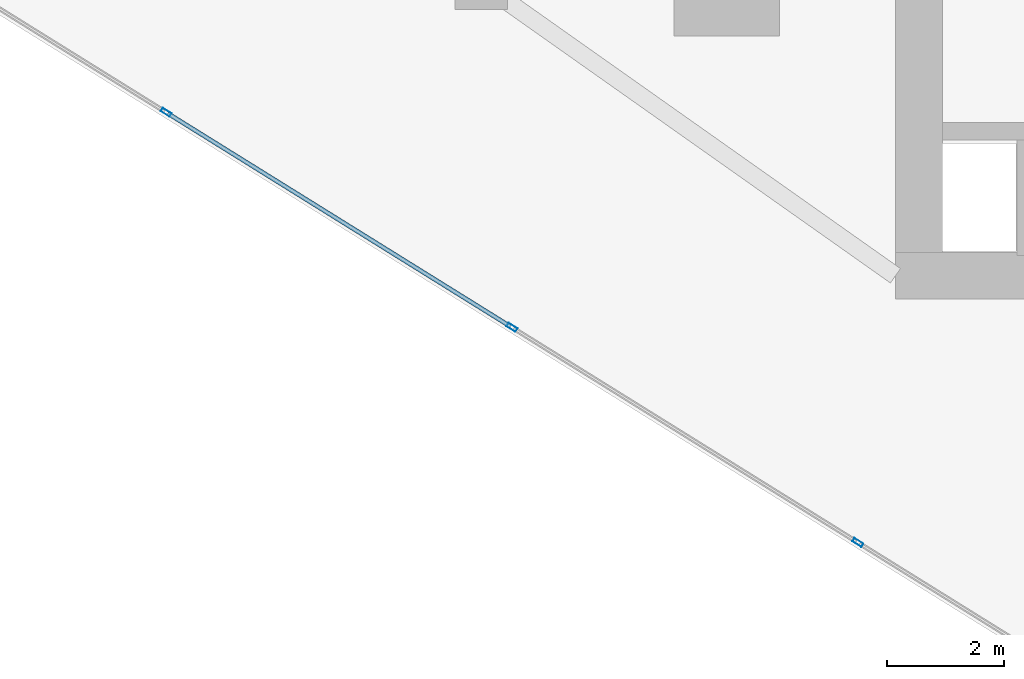
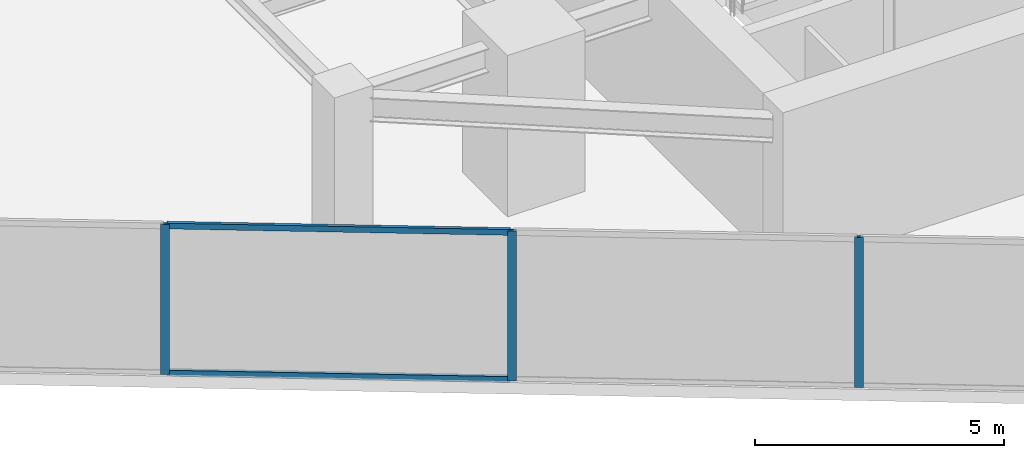
# One storey, part 2 of 25: 5 members, 1 element without a shape of its own.
"""IFC4 building model written with IfcOpenShell, lengths in metres."""

import ifcopenshell
import ifcopenshell.guid

model = None  # the IFC model being written
_history = None  # IfcOwnerHistory: only IFC2X3 demands one
_inside = {}  # id of a spatial element -> (the spatial element, [elements in it])
_under = {}  # id of a project, library or spatial element -> (it, [spatial elements below it])
_declared = {}  # id of a project -> (the project, [libraries it declares])
_typed = {}  # id of a type object -> (the type object, [elements of that type])
_made_of = {}  # id of a material, layer set ... -> (it, [elements and type objects made of it])


def new_model(schema):
    """Start an empty IFC model of exactly this schema.

    Asked for "IFC4X3", IfcOpenShell would pick the latest addendum, in which some entities
    have other attributes; the version numbers below select the first issue.
    IFC2X3 requires an IfcOwnerHistory on every rooted entity: one is made here for all.
    """
    global model, _history
    if schema == "IFC4X3":
        model = ifcopenshell.file(schema_version=(4, 3, 0, 0))
    else:
        model = ifcopenshell.file(schema=schema)
    _inside.clear()
    _under.clear()
    _declared.clear()
    _typed.clear()
    _made_of.clear()
    _history = None
    if model.schema == "IFC2X3":
        org = make("IfcOrganization", Name="unknown")
        user = make(
            "IfcPersonAndOrganization",
            ThePerson=make("IfcPerson", FamilyName="unknown"),
            TheOrganization=org,
        )
        app = make(
            "IfcApplication",
            ApplicationDeveloper=org,
            Version="unknown",
            ApplicationFullName="unknown",
            ApplicationIdentifier="unknown",
        )
        _history = make(
            "IfcOwnerHistory",
            OwningUser=user,
            OwningApplication=app,
            ChangeAction="ADDED",
            CreationDate=0,
        )
    return model


def make(cls, **values):
    """One entity of the class cls with the attributes given. An attribute that is None is left unset."""
    return model.create_entity(
        cls, **{name: value for name, value in values.items() if value is not None}
    )


def rooted(cls, **values):
    """An entity with a GlobalId (a new one), such as an element, a storey or a relation."""
    return make(cls, GlobalId=ifcopenshell.guid.new(), OwnerHistory=_history, **values)


def si_unit(unit_type, name, prefix=None):
    """IfcSIUnit, for example si_unit("LENGTHUNIT", "METRE", prefix="MILLI")."""
    return make("IfcSIUnit", UnitType=unit_type, Prefix=prefix, Name=name)


def assignment(units):
    """IfcUnitAssignment: the units of a project."""
    return None if units is None else make("IfcUnitAssignment", Units=units)


def point(xyz):
    """IfcCartesianPoint."""
    return None if xyz is None else make("IfcCartesianPoint", Coordinates=xyz)


def direction(xyz):
    """IfcDirection."""
    return None if xyz is None else make("IfcDirection", DirectionRatios=xyz)


def frame(location, z_axis=None, x_axis=None):
    """IfcAxis2Placement3D, a coordinate frame: its origin and axes. An axis left out is left unset."""
    return make(
        "IfcAxis2Placement3D",
        Location=point(location),
        Axis=direction(z_axis),
        RefDirection=direction(x_axis),
    )


def frame_2d(location, x_axis=None):
    """IfcAxis2Placement2D, a coordinate frame in the plane: its origin and x axis."""
    return make(
        "IfcAxis2Placement2D", Location=point(location), RefDirection=direction(x_axis)
    )


def origin():
    """The frame at (0, 0, 0) with its axes left unset."""
    return frame((0.0, 0.0, 0.0))


def origin_2d():
    """The frame at (0, 0) in the plane with its x axis left unset."""
    return frame_2d((0.0, 0.0))


def place(relative_to, where):
    """IfcLocalPlacement: puts the frame where relative to a parent placement (None: the world)."""
    return make(
        "IfcLocalPlacement", PlacementRelTo=relative_to, RelativePlacement=where
    )


def context(
    kind, dimensions, precision=None, world=None, true_north=None, identifier=None
):
    """IfcGeometricRepresentationContext, for example the 3D "Model" context."""
    return make(
        "IfcGeometricRepresentationContext",
        ContextIdentifier=identifier,
        ContextType=kind,
        CoordinateSpaceDimension=dimensions,
        Precision=precision,
        WorldCoordinateSystem=world,
        TrueNorth=true_north,
    )


def subcontext(parent, identifier, kind, view, scale=None):
    """IfcGeometricRepresentationSubContext, for example "Body" below "Model"."""
    return make(
        "IfcGeometricRepresentationSubContext",
        ContextIdentifier=identifier,
        ContextType=kind,
        ParentContext=parent,
        TargetScale=scale,
        TargetView=view,
    )


def project(units=None, contexts=None):
    """IfcProject with its units and contexts."""
    return rooted(
        "IfcProject",
        Name="project",
        RepresentationContexts=contexts,
        UnitsInContext=assignment(units),
    )


def spatial(cls, under=None, at=None, **own):
    """A site, building, storey or space (cls), placed at a placement, below another one or the project."""
    s = rooted(cls, ObjectPlacement=at, **own)
    if under is not None:
        _under.setdefault(under.id(), (under, []))[1].append(s)
    return s


def profile(cls, at=None, kind="AREA", **sizes):
    """A parametric profile (cls). Its sizes go by their IFC names, for example OverallWidth=200.0."""
    return make(cls, ProfileType=kind, Position=at, **sizes)


def hollow_rectangle(**sizes):
    """IfcRectangleHollowProfileDef."""
    return profile("IfcRectangleHollowProfileDef", **sizes)


def extrude(swept, where, along, depth):
    """IfcExtrudedAreaSolid: the profile swept, set in the frame where, extruded along a direction by depth."""
    return make(
        "IfcExtrudedAreaSolid",
        SweptArea=swept,
        Position=where,
        ExtrudedDirection=direction(along),
        Depth=depth,
    )


def shape(context_of_items, identifier, shape_type, items):
    """IfcShapeRepresentation: the items that make up one representation, for example the "Body"."""
    return make(
        "IfcShapeRepresentation",
        ContextOfItems=context_of_items,
        RepresentationIdentifier=identifier,
        RepresentationType=shape_type,
        Items=items,
    )


def source(mapping_origin, context_of_items, identifier, shape_type, items):
    """IfcRepresentationMap: a shape defined once, which mapped items show again and again."""
    return make(
        "IfcRepresentationMap",
        MappingOrigin=mapping_origin,
        MappedRepresentation=shape(context_of_items, identifier, shape_type, items),
    )


def transform(
    local_origin,
    x_axis=None,
    y_axis=None,
    z_axis=None,
    scale=None,
    scale2=None,
    scale3=None,
    uniform=True,
):
    """IfcCartesianTransformationOperator3D, or its non-uniform kind. x_axis, y_axis, z_axis: its Axis1, 2, 3."""
    if uniform:
        return make(
            "IfcCartesianTransformationOperator3D",
            Axis1=direction(x_axis),
            Axis2=direction(y_axis),
            LocalOrigin=point(local_origin),
            Scale=scale,
            Axis3=direction(z_axis),
        )
    return make(
        "IfcCartesianTransformationOperator3DnonUniform",
        Axis1=direction(x_axis),
        Axis2=direction(y_axis),
        LocalOrigin=point(local_origin),
        Scale=scale,
        Axis3=direction(z_axis),
        Scale2=scale2,
        Scale3=scale3,
    )


def mapped(mapping_source, mapping_target):
    """IfcMappedItem: shows the shape of a source again, moved by a transform."""
    return make(
        "IfcMappedItem", MappingSource=mapping_source, MappingTarget=mapping_target
    )


def material(Name=None, Category=None):
    """IfcMaterial."""
    return make("IfcMaterial", Name=Name, Category=Category)


def material_profile(
    of_material, cross_section, Name=None, Category=None, Priority=None
):
    """IfcMaterialProfile: a cross section and its material."""
    return make(
        "IfcMaterialProfile",
        Name=Name,
        Material=of_material,
        Profile=cross_section,
        Priority=Priority,
        Category=Category,
    )


def profile_set(profiles, Name=None, composite=None):
    """IfcMaterialProfileSet."""
    return make(
        "IfcMaterialProfileSet",
        Name=Name,
        MaterialProfiles=profiles,
        CompositeProfile=composite,
    )


def made_of(thing, what):
    """Note that an element or type object is made of a material, layer set ...; save() writes the relation."""
    if what is not None:
        _made_of.setdefault(what.id(), (what, []))[1].append(thing)
    return thing


def type_object(cls, material=None, **own):
    """A type object (cls), such as IfcWallType, which elements share."""
    return made_of(rooted(cls, **own), material)


def type_shapes(of_type, sources):
    """Give a type object the sources (RepresentationMaps) that its elements show as mapped items."""
    of_type.RepresentationMaps = sources


def element(
    cls,
    number,
    at=None,
    inside=None,
    cuts=None,
    type_object=None,
    material=None,
    context=None,
    identifier="Body",
    shape_type=None,
    held_by="IfcProductDefinitionShape",
    body=None,
    shapes=None,
    **own,
):
    """One element of the class cls, such as IfcWall. Its Tag is "e" and its number.

    at: its placement. inside: the storey or other place that contains it. cuts: it is an
    opening in that element (IfcRelVoidsElement). A single representation is given by context,
    identifier, shape_type and body (its items); several are given by shapes. held_by: the class
    of the entity that holds the representations. save() writes the other relations.
    """
    e = rooted(cls, Tag="e%d" % number, ObjectPlacement=at, **own)
    if body is not None:
        shapes = [shape(context, identifier, shape_type, body)]
    if shapes is not None:
        e.Representation = make(held_by, Representations=shapes)
    if inside is not None:
        _inside.setdefault(inside.id(), (inside, []))[1].append(e)
    if cuts is not None:
        rooted(
            "IfcRelVoidsElement", RelatingBuildingElement=cuts, RelatedOpeningElement=e
        )
    if type_object is not None:
        _typed.setdefault(type_object.id(), (type_object, []))[1].append(e)
    return made_of(e, material)


def aggregate(whole, parts):
    """IfcRelAggregates: a whole, such as a stair, and the parts it consists of."""
    return rooted("IfcRelAggregates", RelatingObject=whole, RelatedObjects=parts)


def save(model, path):
    """Write the relations noted so far, then the file.

    IfcRelAggregates (storeys below a building ...), IfcRelContainedInSpatialStructure (elements
    in a storey), IfcRelDefinesByType, IfcRelAssociatesMaterial and IfcRelDeclares: one each for
    every whole, place, type object, material and project.
    """
    for whole, parts in _under.values():
        aggregate(whole, parts)
    for where, things in _inside.values():
        rooted(
            "IfcRelContainedInSpatialStructure",
            RelatedElements=things,
            RelatingStructure=where,
        )
    for kind, things in _typed.values():
        rooted("IfcRelDefinesByType", RelatedObjects=things, RelatingType=kind)
    for what, things in _made_of.values():
        rooted("IfcRelAssociatesMaterial", RelatedObjects=things, RelatingMaterial=what)
    for by, libraries in _declared.values():
        rooted("IfcRelDeclares", RelatingContext=by, RelatedDefinitions=libraries)
    model.write(path)


model = new_model("IFC4")

# Units and contexts
model_context = context("Model", 3, precision=1e-05, world=origin(), true_north=direction((0.0, 1.0)))
body_context = subcontext(model_context, "Body", "Model", "MODEL_VIEW")
ifc_project = project(units=[si_unit("LENGTHUNIT", "METRE"), si_unit("AREAUNIT", "SQUARE_METRE"), si_unit("VOLUMEUNIT", "CUBIC_METRE"), si_unit("PLANEANGLEUNIT", "RADIAN"), si_unit("MASSUNIT", "GRAM", prefix="KILO")], contexts=[model_context])

# Site, building, storey
site_placement = place(None, origin())
site = spatial("IfcSite", under=ifc_project, at=site_placement, CompositionType="ELEMENT")
building_placement = place(site_placement, origin())
building = spatial("IfcBuilding", under=site, at=building_placement, Name="Krantzveldt Concourse Tower", CompositionType="ELEMENT")
storey_placement = place(building_placement, frame((0.0, 0.0, 181.75)))
storey = spatial("IfcBuildingStorey", under=building, at=storey_placement, Name="L44", CompositionType="ELEMENT", Elevation=181.75)

# Curtain wall, members
ifc_material = material(Name="Anodised aluminium 6063-T6", Category="aluminium")
curtain_wall_type = type_object("IfcCurtainWallType", Name="CW3", PredefinedType="USERDEFINED", material=ifc_material)
curtain_wall_placement = place(storey_placement, origin())
curtain_wall = element("IfcCurtainWall", 1, at=curtain_wall_placement, inside=storey, type_object=curtain_wall_type, Name="CW-L44-F04", ObjectType="UNITISED CURTAIN WALL", PredefinedType="USERDEFINED")
ifc_material_profile_1 = material_profile(ifc_material, hollow_rectangle(XDim=0.070068359375, YDim=0.179931640625, WallThickness=0.0048828125, at=origin_2d()), Name="Anodised aluminium 6063-T6", Category="aluminium")
ifc_profile_set_1 = profile_set([ifc_material_profile_1], Name="Anodised aluminium 6063-T6 - ALU-MULL 180x70x5")
member_type_1 = type_object("IfcMemberType", Name="CW-MUL-180", PredefinedType="MULLION", material=ifc_profile_set_1)
shared_shape_1 = source(origin(), body_context, "Body", "SweptSolid", [
    extrude(hollow_rectangle(XDim=0.070068359375, YDim=0.179931640625, WallThickness=0.0048828125, at=origin_2d()), origin(), (0.0, 0.0, 1.0), 3.669921875),
])
type_shapes(member_type_1, [shared_shape_1])
member_1_placement = place(storey_placement, frame((15.6171875, 13.69189453125, 0.0), z_axis=(0.0, 0.0, 1.0), x_axis=(0.528067901977, 0.84920214961, 0.0)))
member_1 = element("IfcMember", 2, at=member_1_placement, type_object=member_type_1, Name="CW-Z34 mullion 2", PredefinedType="MULLION", context=body_context, shape_type="MappedRepresentation", body=[
    mapped(shared_shape_1, transform((0.0, 0.0, 0.0), x_axis=(1.0, 0.0, 0.0), y_axis=(0.0, 1.0, 0.0), z_axis=(0.0, 0.0, 1.0), scale=1.0)),
])
member_2_placement = place(storey_placement, frame((21.527587890625, 10.0166015625, 0.0), z_axis=(0.0, 0.0, 1.0), x_axis=(0.528067901977, 0.84920214961, 0.0)))
member_2 = element("IfcMember", 3, at=member_2_placement, type_object=member_type_1, Name="CW-Z34 mullion 3", PredefinedType="MULLION", context=body_context, shape_type="MappedRepresentation", body=[
    mapped(shared_shape_1, transform((0.0, 0.0, 0.0), x_axis=(1.0, 0.0, 0.0), y_axis=(0.0, 1.0, 0.0), z_axis=(0.0, 0.0, 1.0), scale=1.0)),
])
member_3_placement = place(storey_placement, frame((27.43798828125, 6.34130859375, 0.0), z_axis=(0.0, 0.0, 1.0), x_axis=(0.528067901977, 0.84920214961, 0.0)))
member_3 = element("IfcMember", 4, at=member_3_placement, type_object=member_type_1, Name="CW-Z34 mullion 4", PredefinedType="MULLION", context=body_context, shape_type="MappedRepresentation", body=[
    mapped(shared_shape_1, transform((0.0, 0.0, 0.0), x_axis=(1.0, 0.0, 0.0), y_axis=(0.0, 1.0, 0.0), z_axis=(0.0, 0.0, 1.0), scale=1.0)),
])
ifc_material_profile_2 = material_profile(ifc_material, hollow_rectangle(XDim=0.070068359375, YDim=0.139892578125, WallThickness=0.0048828125, at=origin_2d()), Name="Anodised aluminium 6063-T6", Category="aluminium")
ifc_profile_set_2 = profile_set([ifc_material_profile_2], Name="Anodised aluminium 6063-T6 - ALU-TRAN 140x70x5")
member_type_2 = type_object("IfcMemberType", Name="CW-TRN-150", PredefinedType="USERDEFINED", material=ifc_profile_set_2)
shared_shape_2 = source(origin(), body_context, "Body", "SweptSolid", [
    extrude(hollow_rectangle(XDim=0.070068359375, YDim=0.139892578125, WallThickness=0.0048828125, at=origin_2d()), origin(), (0.0, 0.0, 1.0), 6.8896484375),
])
type_shapes(member_type_2, [shared_shape_2])
member_4_placement = place(storey_placement, frame((15.64697265625, 13.67333984375, 0.034912109375), z_axis=(0.849208452544, -0.528057765901, 0.0), x_axis=(0.528057765901, 0.849208452544, 0.0)))
member_4 = element("IfcMember", 5, at=member_4_placement, type_object=member_type_2, Name="CW-Z34 transom 2.1", ObjectType="TRANSOM", PredefinedType="USERDEFINED", context=body_context, shape_type="MappedRepresentation", body=[
    mapped(shared_shape_2, transform((0.0, 0.0, 0.0), x_axis=(1.0, 0.0, 0.0), y_axis=(0.0, 1.0, 0.0), z_axis=(0.0, 0.0, 1.0), scale=1.0)),
])
member_5_placement = place(storey_placement, frame((15.64697265625, 13.67333984375, 3.635009765625), z_axis=(0.849208452544, -0.528057765901, 0.0), x_axis=(0.528057765901, 0.849208452544, 0.0)))
member_5 = element("IfcMember", 6, at=member_5_placement, type_object=member_type_2, Name="CW-Z34 transom 2.2", ObjectType="TRANSOM", PredefinedType="USERDEFINED", context=body_context, shape_type="MappedRepresentation", body=[
    mapped(shared_shape_2, transform((0.0, 0.0, 0.0), x_axis=(1.0, 0.0, 0.0), y_axis=(0.0, 1.0, 0.0), z_axis=(0.0, 0.0, 1.0), scale=1.0)),
])
aggregate(curtain_wall, [member_1, member_2, member_3, member_4, member_5])

save(model, "model.ifc")
